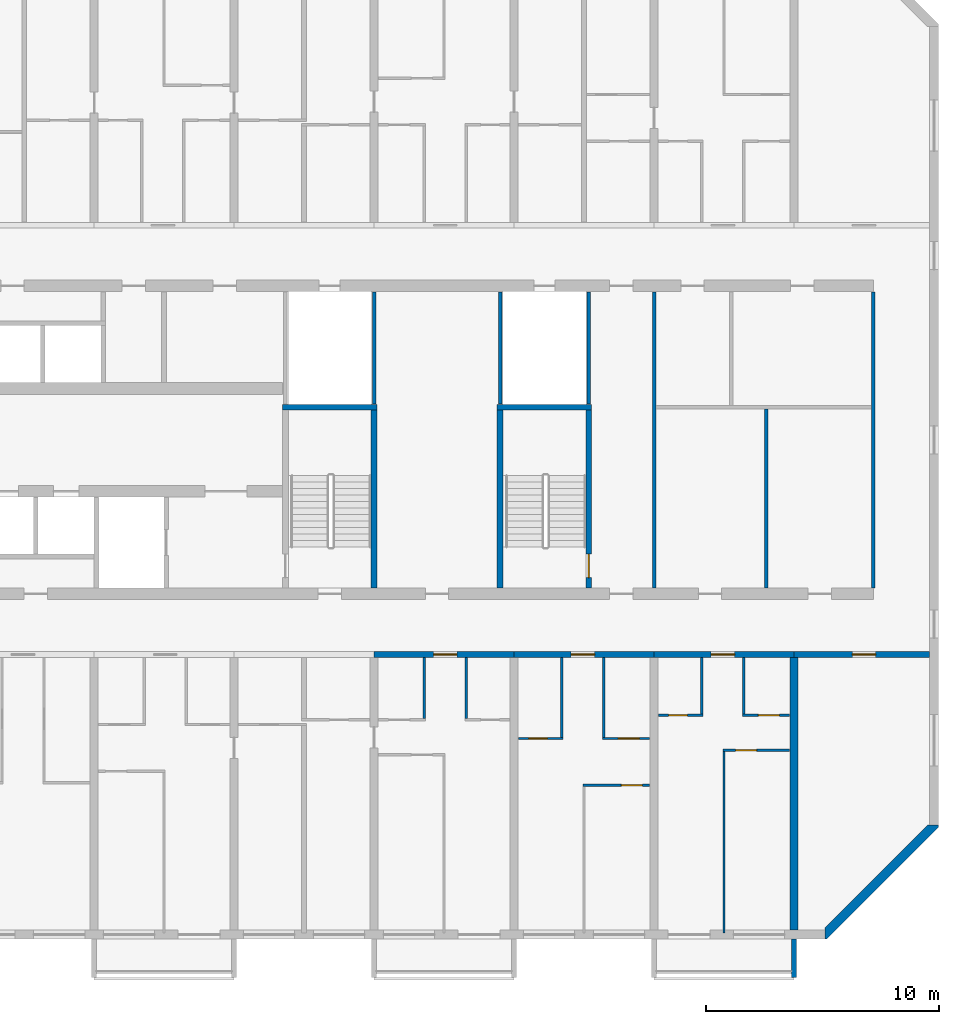
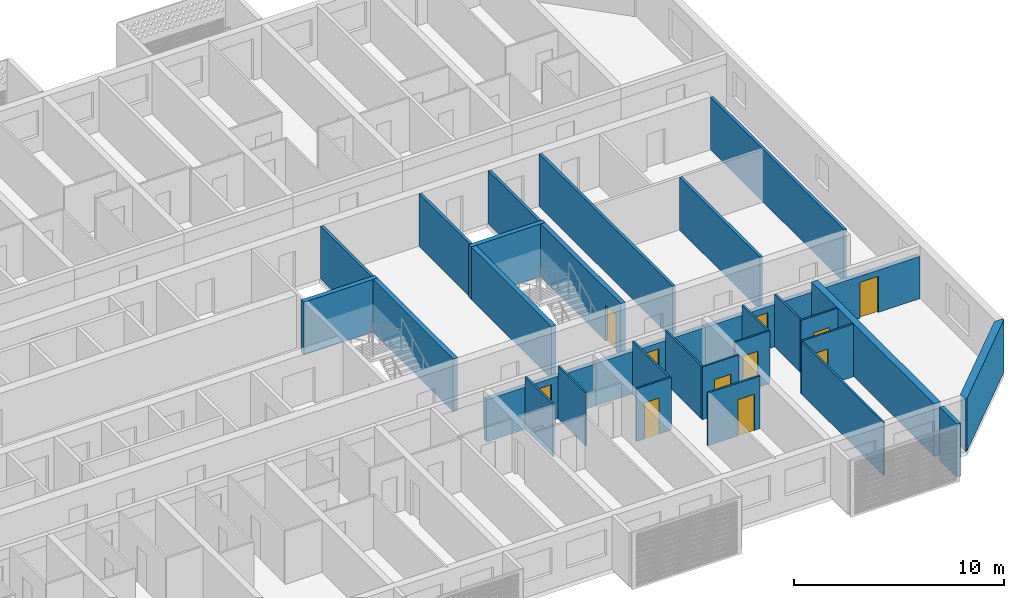
# One storey, part 14 of 25: 31 walls, 11 doors, 11 openings.
"""IFC4 building model written with IfcOpenShell, lengths in metres."""

from ifc_helpers import new_model, si_unit, direction, frame, frame_2d, origin, place, context, subcontext, project, spatial, polyline, rectangle, outline, extrude, source, transform, mapped, material, layer, layer_set, type_object, element, fill, save


model = new_model("IFC4")

# Units and contexts
model_context = context("Model", 3, precision=1e-05, world=origin(), true_north=direction((0.0, 1.0)))
body_context = subcontext(model_context, "Body", "Model", "MODEL_VIEW")
ifc_project = project(units=[si_unit("LENGTHUNIT", "METRE"), si_unit("AREAUNIT", "SQUARE_METRE"), si_unit("VOLUMEUNIT", "CUBIC_METRE"), si_unit("PLANEANGLEUNIT", "RADIAN"), si_unit("MASSUNIT", "GRAM", prefix="KILO")], contexts=[model_context])

# Site, building, storey
site_placement = place(None, origin())
site = spatial("IfcSite", under=ifc_project, at=site_placement, CompositionType="ELEMENT")
building_placement = place(site_placement, origin())
building = spatial("IfcBuilding", under=site, at=building_placement, Name="Poui Terraces", CompositionType="ELEMENT")
storey_placement = place(building_placement, frame((0.0, 0.0, 89.39990234375)))
storey = spatial("IfcBuildingStorey", under=building, at=storey_placement, Name="L24", CompositionType="ELEMENT", Elevation=89.39990234375)

# Walls
ifc_material_1 = material(Name="Fire-rated plasterboard wall")
ifc_layer_1 = layer(ifc_material_1, 0.14990234375)
ifc_layer_set_1 = layer_set([ifc_layer_1], Name="Fire-rated plasterboard wall")
wall_type_1 = type_object("IfcWallType", Name="CORRIDOR WALL 150", PredefinedType="PARTITIONING", material=ifc_layer_set_1)
for number, where, z_axis, x_axis, name in (
    (1, (84.0, 14.860107421875, 0.0), (0.0, 0.0, 1.0), (0.0, 1.0, 0.0), "CORRIDOR WALL 150"),
    (2, (93.39990234375, 14.860107421875, 0.0), (0.0, 0.0, 1.0), (0.0, 1.0, 0.0), "CORRIDOR WALL 150"),
):
    element("IfcWall", number, at=place(storey_placement, frame(where, z_axis=z_axis, x_axis=x_axis)), inside=storey, type_object=wall_type_1, Name=name, PredefinedType="PARTITIONING", context=body_context, shape_type="SweptSolid", body=[
        extrude(rectangle(XDim=12.679931640625, YDim=0.14990234375, at=frame_2d((6.33984375, 0.0))), origin(), (0.0, 0.0, 1.0), 3.06005859375),
    ])

# Wall, opening, door
ifc_material_2 = material(Name="Concrete 65 MPa", Category="concrete")
ifc_layer_2 = layer(ifc_material_2, 0.25)
ifc_layer_set_2 = layer_set([ifc_layer_2], Name="Concrete 65 MPa")
wall_type_2 = type_object("IfcWallType", Name="CORRIDOR WALL 250 65MPa", PredefinedType="SHEAR", material=ifc_layer_set_2)
wall_1_placement = place(storey_placement, frame((72.0, 12.0, 0.0), z_axis=(0.0, 0.0, 1.0), x_axis=(1.0, 0.0, 0.0)))
wall_1 = element("IfcWall", 3, at=wall_1_placement, inside=storey, type_object=wall_type_2, Name="CORRIDOR WALL LINE B BAY 12", PredefinedType="SHEAR", context=body_context, shape_type="SweptSolid", body=[
    extrude(rectangle(XDim=6.0, YDim=0.25, at=frame_2d((3.0, 0.0))), origin(), (0.0, 0.0, 1.0), 2.460205078125),
])
opening_1_placement = place(wall_1_placement, frame((2.550048828125, 0.0, 0.0)))
opening_1 = element("IfcOpeningElement", 4, at=opening_1_placement, cuts=wall_1, Name="Opening FD30S", PredefinedType="OPENING", context=body_context, shape_type="SweptSolid", body=[
    extrude(rectangle(XDim=1.0, YDim=2.10009765625, at=frame_2d((0.5, 1.050048828125))), frame((0.0, 0.135009765625, 0.0), z_axis=(0.0, -1.0, 0.0), x_axis=(1.0, 0.0, 0.0)), (0.0, 0.0, 1.0), 0.27001953125),
])
ifc_material_3 = material(Name="Steel fire door", Category="steel")
door_type_1 = type_object("IfcDoorType", Name="FLAT ENTRANCE DOOR 1000 X 2100", OperationType="NOTDEFINED", PredefinedType="DOOR", material=ifc_material_3)
door_1_placement = place(opening_1_placement, frame((1.0, 0.0, 0.0), z_axis=(0.0, 0.0, 1.0), x_axis=(-1.0, 0.0, 0.0)))
door_1 = element("IfcDoor", 5, at=door_1_placement, inside=storey, type_object=door_type_1, Name="FLAT ENTRANCE DOOR 125", OperationType="SINGLE_SWING_LEFT", OverallHeight=2.10009765625, OverallWidth=1.0, PredefinedType="DOOR", context=body_context, shape_type="SweptSolid", body=[
    extrude(rectangle(XDim=1.0, YDim=2.10009765625, at=frame_2d((0.5, 1.050048828125))), frame((0.0, 0.02490234375, 0.0), z_axis=(0.0, -1.0, 0.0), x_axis=(1.0, 0.0, 0.0)), (0.0, 0.0, 1.0), 0.050048828125),
])
fill(opening_1, door_1)

wall_2_placement = place(storey_placement, frame((78.0, 12.0, 0.0), z_axis=(0.0, 0.0, 1.0), x_axis=(1.0, 0.0, 0.0)))
wall_2 = element("IfcWall", 6, at=wall_2_placement, inside=storey, type_object=wall_type_2, Name="CORRIDOR WALL LINE B BAY 13", PredefinedType="SHEAR", context=body_context, shape_type="SweptSolid", body=[
    extrude(rectangle(XDim=6.0, YDim=0.25, at=frame_2d((3.0, 0.0))), origin(), (0.0, 0.0, 1.0), 2.460205078125),
])
opening_2_placement = place(wall_2_placement, frame((2.449951171875, 0.0, 0.0)))
opening_2 = element("IfcOpeningElement", 7, at=opening_2_placement, cuts=wall_2, Name="Opening FD30S", PredefinedType="OPENING", context=body_context, shape_type="SweptSolid", body=[
    extrude(rectangle(XDim=1.0, YDim=2.10009765625, at=frame_2d((0.5, 1.050048828125))), frame((0.0, 0.135009765625, 0.0), z_axis=(0.0, -1.0, 0.0), x_axis=(1.0, 0.0, 0.0)), (0.0, 0.0, 1.0), 0.27001953125),
])
door_2_placement = place(opening_2_placement, frame((1.0, 0.0, 0.0), z_axis=(0.0, 0.0, 1.0), x_axis=(-1.0, 0.0, 0.0)))
door_2 = element("IfcDoor", 8, at=door_2_placement, inside=storey, type_object=door_type_1, Name="FLAT ENTRANCE DOOR 128", OperationType="SINGLE_SWING_RIGHT", OverallHeight=2.10009765625, OverallWidth=1.0, PredefinedType="DOOR", context=body_context, shape_type="SweptSolid", body=[
    extrude(rectangle(XDim=1.0, YDim=2.10009765625, at=frame_2d((0.5, 1.050048828125))), frame((0.0, 0.02490234375, 0.0), z_axis=(0.0, -1.0, 0.0), x_axis=(1.0, 0.0, 0.0)), (0.0, 0.0, 1.0), 0.050048828125),
])
fill(opening_2, door_2)

wall_3_placement = place(storey_placement, frame((84.0, 12.0, 0.0), z_axis=(0.0, 0.0, 1.0), x_axis=(1.0, 0.0, 0.0)))
wall_3 = element("IfcWall", 9, at=wall_3_placement, inside=storey, type_object=wall_type_2, Name="CORRIDOR WALL LINE B BAY 14", PredefinedType="SHEAR", context=body_context, shape_type="SweptSolid", body=[
    extrude(rectangle(XDim=6.0, YDim=0.25, at=frame_2d((3.0, 0.0))), origin(), (0.0, 0.0, 1.0), 2.460205078125),
])
opening_3_placement = place(wall_3_placement, frame((2.449951171875, 0.0, 0.0)))
opening_3 = element("IfcOpeningElement", 10, at=opening_3_placement, cuts=wall_3, Name="Opening FD30S", PredefinedType="OPENING", context=body_context, shape_type="SweptSolid", body=[
    extrude(rectangle(XDim=1.0, YDim=2.10009765625, at=frame_2d((0.5, 1.050048828125))), frame((0.0, 0.135009765625, 0.0), z_axis=(0.0, -1.0, 0.0), x_axis=(1.0, 0.0, 0.0)), (0.0, 0.0, 1.0), 0.27001953125),
])
door_3_placement = place(opening_3_placement, frame((1.0, 0.0, 0.0), z_axis=(0.0, 0.0, 1.0), x_axis=(-1.0, 0.0, 0.0)))
door_3 = element("IfcDoor", 11, at=door_3_placement, inside=storey, type_object=door_type_1, Name="FLAT ENTRANCE DOOR 132", OperationType="SINGLE_SWING_RIGHT", OverallHeight=2.10009765625, OverallWidth=1.0, PredefinedType="DOOR", context=body_context, shape_type="SweptSolid", body=[
    extrude(rectangle(XDim=1.0, YDim=2.10009765625, at=frame_2d((0.5, 1.050048828125))), frame((0.0, 0.02490234375, 0.0), z_axis=(0.0, -1.0, 0.0), x_axis=(1.0, 0.0, 0.0)), (0.0, 0.0, 1.0), 0.050048828125),
])
fill(opening_3, door_3)

wall_4_placement = place(storey_placement, frame((90.0, 12.0, 0.0), z_axis=(0.0, 0.0, 1.0), x_axis=(1.0, 0.0, 0.0)))
wall_4 = element("IfcWall", 12, at=wall_4_placement, inside=storey, type_object=wall_type_2, Name="CORRIDOR WALL LINE B BAY 15", PredefinedType="SHEAR", context=body_context, shape_type="SweptSolid", body=[
    extrude(rectangle(XDim=5.800048828125, YDim=0.25, at=frame_2d((2.89990234375, 0.0))), origin(), (0.0, 0.0, 1.0), 2.460205078125),
])
opening_4_placement = place(wall_4_placement, frame((2.5, 0.0, 0.0)))
opening_4 = element("IfcOpeningElement", 13, at=opening_4_placement, cuts=wall_4, Name="Opening D100", PredefinedType="OPENING", context=body_context, shape_type="SweptSolid", body=[
    extrude(rectangle(XDim=1.0, YDim=2.10009765625, at=frame_2d((0.5, 1.050048828125))), frame((0.0, 0.135009765625, 0.0), z_axis=(0.0, -1.0, 0.0), x_axis=(1.0, 0.0, 0.0)), (0.0, 0.0, 1.0), 0.27001953125),
])
ifc_material_4 = material(Name="Solid core timber door", Category="wood")
door_type_2 = type_object("IfcDoorType", Name="ACCESSIBLE INTERNAL DOOR 1000 X 2100", OperationType="NOTDEFINED", PredefinedType="DOOR", material=ifc_material_4)
door_4_placement = place(opening_4_placement, frame((1.0, 0.0, 0.0), z_axis=(0.0, 0.0, 1.0), x_axis=(-1.0, 0.0, 0.0)))
door_4 = element("IfcDoor", 14, at=door_4_placement, inside=storey, type_object=door_type_2, Name="ACCESSIBLE INTERNAL DOOR 135", OperationType="SINGLE_SWING_RIGHT", OverallHeight=2.10009765625, OverallWidth=1.0, PredefinedType="DOOR", context=body_context, shape_type="SweptSolid", body=[
    extrude(rectangle(XDim=1.0, YDim=2.10009765625, at=frame_2d((0.5, 1.050048828125))), frame((0.0, 0.02490234375, 0.0), z_axis=(0.0, -1.0, 0.0), x_axis=(1.0, 0.0, 0.0)), (0.0, 0.0, 1.0), 0.050048828125),
])
fill(opening_4, door_4)

# Wall
ifc_layer_3 = layer(ifc_material_2, 0.35009765625)
ifc_layer_set_3 = layer_set([ifc_layer_3], Name="Concrete 65 MPa")
wall_type_3 = type_object("IfcWallType", Name="CROSS WALL 350 65MPa", PredefinedType="SHEAR", material=ifc_layer_set_3)
wall_5_placement = place(storey_placement, frame((90.0, 0.199951171875, 0.0), z_axis=(0.0, 0.0, 1.0), x_axis=(0.0, 1.0, 0.0)))
element("IfcWall", 15, at=wall_5_placement, inside=storey, type_object=wall_type_3, Name="CROSS WALL LINE 16 SOUTH", PredefinedType="SHEAR", context=body_context, shape_type="SweptSolid", body=[
    extrude(rectangle(XDim=11.675048828125, YDim=0.35009765625, at=frame_2d((5.83740234375, 0.0))), origin(), (0.0, 0.0, 1.0), 3.06005859375),
])

# Wall, opening, door
ifc_material_5 = material(Name="Plasterboard partition")
ifc_layer_4 = layer(ifc_material_5, 0.10009765625)
ifc_layer_set_4 = layer_set([ifc_layer_4], Name="Plasterboard partition")
wall_type_4 = type_object("IfcWallType", Name="FLAT PARTITION 100", PredefinedType="PARTITIONING", material=ifc_layer_set_4)
wall_6_placement = place(storey_placement, frame((80.949951171875, 6.39990234375, 0.0), z_axis=(0.0, 0.0, 1.0), x_axis=(1.0, 0.0, 0.0)))
wall_6 = element("IfcWall", 16, at=wall_6_placement, inside=storey, type_object=wall_type_4, Name="FLAT PARTITION 100", PredefinedType="PARTITIONING", context=body_context, shape_type="SweptSolid", body=[
    extrude(rectangle(XDim=2.864990234375, YDim=0.10009765625, at=frame_2d((1.4326171875, 0.0))), origin(), (0.0, 0.0, 1.0), 3.06005859375),
])
opening_5_placement = place(wall_6_placement, frame((1.64990234375, 0.0, 0.0)))
opening_5 = element("IfcOpeningElement", 17, at=opening_5_placement, cuts=wall_6, Name="Opening D90", PredefinedType="OPENING", context=body_context, shape_type="SweptSolid", body=[
    extrude(rectangle(XDim=0.89990234375, YDim=2.10009765625, at=frame_2d((0.449951171875, 1.050048828125))), frame((0.0, 0.06005859375, 0.0), z_axis=(0.0, -1.0, 0.0), x_axis=(1.0, 0.0, 0.0)), (0.0, 0.0, 1.0), 0.1201171875),
])
door_type_3 = type_object("IfcDoorType", Name="INTERNAL DOOR 900 X 2100", OperationType="NOTDEFINED", PredefinedType="DOOR", material=ifc_material_4)
door_5_placement = place(opening_5_placement, origin())
door_5 = element("IfcDoor", 18, at=door_5_placement, inside=storey, type_object=door_type_3, Name="INTERNAL DOOR 130", OperationType="SINGLE_SWING_LEFT", OverallHeight=2.10009765625, OverallWidth=0.89990234375, PredefinedType="DOOR", context=body_context, shape_type="SweptSolid", body=[
    extrude(rectangle(XDim=0.89990234375, YDim=2.10009765625, at=frame_2d((0.449951171875, 1.050048828125))), frame((0.0, 0.02490234375, 0.0), z_axis=(0.0, -1.0, 0.0), x_axis=(1.0, 0.0, 0.0)), (0.0, 0.0, 1.0), 0.050048828125),
])
fill(opening_5, door_5)

wall_7_placement = place(storey_placement, frame((86.949951171875, 7.89990234375, 0.0), z_axis=(0.0, 0.0, 1.0), x_axis=(1.0, 0.0, 0.0)))
wall_7 = element("IfcWall", 19, at=wall_7_placement, inside=storey, type_object=wall_type_4, Name="FLAT PARTITION 100", PredefinedType="PARTITIONING", context=body_context, shape_type="SweptSolid", body=[
    extrude(rectangle(XDim=2.864990234375, YDim=0.10009765625, at=frame_2d((1.4326171875, 0.0))), origin(), (0.0, 0.0, 1.0), 3.06005859375),
])
opening_6_placement = place(wall_7_placement, frame((0.550048828125, 0.0, 0.0)))
opening_6 = element("IfcOpeningElement", 20, at=opening_6_placement, cuts=wall_7, Name="Opening D90", PredefinedType="OPENING", context=body_context, shape_type="SweptSolid", body=[
    extrude(rectangle(XDim=0.89990234375, YDim=2.10009765625, at=frame_2d((0.449951171875, 1.050048828125))), frame((0.0, 0.06005859375, 0.0), z_axis=(0.0, -1.0, 0.0), x_axis=(1.0, 0.0, 0.0)), (0.0, 0.0, 1.0), 0.1201171875),
])
door_6_placement = place(opening_6_placement, origin())
door_6 = element("IfcDoor", 21, at=door_6_placement, inside=storey, type_object=door_type_3, Name="INTERNAL DOOR 133", OperationType="SINGLE_SWING_RIGHT", OverallHeight=2.10009765625, OverallWidth=0.89990234375, PredefinedType="DOOR", context=body_context, shape_type="SweptSolid", body=[
    extrude(rectangle(XDim=0.89990234375, YDim=2.10009765625, at=frame_2d((0.449951171875, 1.050048828125))), frame((0.0, 0.02490234375, 0.0), z_axis=(0.0, -1.0, 0.0), x_axis=(1.0, 0.0, 0.0)), (0.0, 0.0, 1.0), 0.050048828125),
])
fill(opening_6, door_6)

wall_8_placement = place(storey_placement, frame((78.18505859375, 8.39990234375, 0.0), z_axis=(0.0, 0.0, 1.0), x_axis=(1.0, 0.0, 0.0)))
wall_8 = element("IfcWall", 22, at=wall_8_placement, inside=storey, type_object=wall_type_4, Name="FLAT PARTITION 100", PredefinedType="PARTITIONING", context=body_context, shape_type="SweptSolid", body=[
    extrude(rectangle(XDim=1.9150390625, YDim=0.10009765625, at=frame_2d((0.95751953125, 0.0))), origin(), (0.0, 0.0, 1.0), 3.06005859375),
])
opening_7_placement = place(wall_8_placement, frame((0.43994140625, 0.0, 0.0)))
opening_7 = element("IfcOpeningElement", 23, at=opening_7_placement, cuts=wall_8, Name="Opening D80", PredefinedType="OPENING", context=body_context, shape_type="SweptSolid", body=[
    extrude(rectangle(XDim=0.800048828125, YDim=2.10009765625, at=frame_2d((0.39990234375, 1.050048828125))), frame((0.0, 0.06005859375, 0.0), z_axis=(0.0, -1.0, 0.0), x_axis=(1.0, 0.0, 0.0)), (0.0, 0.0, 1.0), 0.1201171875),
])
door_type_4 = type_object("IfcDoorType", Name="BATHROOM, LAUNDRY AND STORE DOOR 800 X 2100", OperationType="NOTDEFINED", PredefinedType="DOOR", material=ifc_material_4)
door_7_placement = place(opening_7_placement, origin())
door_7 = element("IfcDoor", 24, at=door_7_placement, inside=storey, type_object=door_type_4, Name="BATHROOM, LAUNDRY AND STORE DOOR 127", OperationType="SINGLE_SWING_LEFT", OverallHeight=2.10009765625, OverallWidth=0.800048828125, PredefinedType="DOOR", context=body_context, shape_type="SweptSolid", body=[
    extrude(rectangle(XDim=0.800048828125, YDim=2.10009765625, at=frame_2d((0.39990234375, 1.050048828125))), frame((0.0, 0.02490234375, 0.0), z_axis=(0.0, -1.0, 0.0), x_axis=(1.0, 0.0, 0.0)), (0.0, 0.0, 1.0), 0.050048828125),
])
fill(opening_7, door_7)

wall_9_placement = place(storey_placement, frame((81.800048828125, 8.39990234375, 0.0), z_axis=(0.0, 0.0, 1.0), x_axis=(1.0, 0.0, 0.0)))
wall_9 = element("IfcWall", 25, at=wall_9_placement, inside=storey, type_object=wall_type_4, Name="FLAT PARTITION 100", PredefinedType="PARTITIONING", context=body_context, shape_type="SweptSolid", body=[
    extrude(rectangle(XDim=2.014892578125, YDim=0.10009765625, at=frame_2d((1.00732421875, 0.0))), origin(), (0.0, 0.0, 1.0), 3.06005859375),
])
opening_8_placement = place(wall_9_placement, frame((0.675048828125, 0.0, 0.0)))
opening_8 = element("IfcOpeningElement", 26, at=opening_8_placement, cuts=wall_9, Name="Opening D90", PredefinedType="OPENING", context=body_context, shape_type="SweptSolid", body=[
    extrude(rectangle(XDim=0.89990234375, YDim=2.10009765625, at=frame_2d((0.449951171875, 1.050048828125))), frame((0.0, 0.06005859375, 0.0), z_axis=(0.0, -1.0, 0.0), x_axis=(1.0, 0.0, 0.0)), (0.0, 0.0, 1.0), 0.1201171875),
])
door_8_placement = place(opening_8_placement, origin())
door_8 = element("IfcDoor", 27, at=door_8_placement, inside=storey, type_object=door_type_3, Name="INTERNAL DOOR 129", OperationType="SINGLE_SWING_RIGHT", OverallHeight=2.10009765625, OverallWidth=0.89990234375, PredefinedType="DOOR", context=body_context, shape_type="SweptSolid", body=[
    extrude(rectangle(XDim=0.89990234375, YDim=2.10009765625, at=frame_2d((0.449951171875, 1.050048828125))), frame((0.0, 0.02490234375, 0.0), z_axis=(0.0, -1.0, 0.0), x_axis=(1.0, 0.0, 0.0)), (0.0, 0.0, 1.0), 0.050048828125),
])
fill(opening_8, door_8)

wall_10_placement = place(storey_placement, frame((84.18505859375, 9.39990234375, 0.0), z_axis=(0.0, 0.0, 1.0), x_axis=(1.0, 0.0, 0.0)))
wall_10 = element("IfcWall", 28, at=wall_10_placement, inside=storey, type_object=wall_type_4, Name="FLAT PARTITION 100", PredefinedType="PARTITIONING", context=body_context, shape_type="SweptSolid", body=[
    extrude(rectangle(XDim=1.9150390625, YDim=0.10009765625, at=frame_2d((0.95751953125, 0.0))), origin(), (0.0, 0.0, 1.0), 3.06005859375),
])
opening_9_placement = place(wall_10_placement, frame((0.43994140625, 0.0, 0.0)))
opening_9 = element("IfcOpeningElement", 29, at=opening_9_placement, cuts=wall_10, Name="Opening D80", PredefinedType="OPENING", context=body_context, shape_type="SweptSolid", body=[
    extrude(rectangle(XDim=0.800048828125, YDim=2.10009765625, at=frame_2d((0.39990234375, 1.050048828125))), frame((0.0, 0.06005859375, 0.0), z_axis=(0.0, -1.0, 0.0), x_axis=(1.0, 0.0, 0.0)), (0.0, 0.0, 1.0), 0.1201171875),
])
door_9_placement = place(opening_9_placement, origin())
door_9 = element("IfcDoor", 30, at=door_9_placement, inside=storey, type_object=door_type_4, Name="BATHROOM, LAUNDRY AND STORE DOOR 131", OperationType="SINGLE_SWING_RIGHT", OverallHeight=2.10009765625, OverallWidth=0.800048828125, PredefinedType="DOOR", context=body_context, shape_type="SweptSolid", body=[
    extrude(rectangle(XDim=0.800048828125, YDim=2.10009765625, at=frame_2d((0.39990234375, 1.050048828125))), frame((0.0, 0.02490234375, 0.0), z_axis=(0.0, -1.0, 0.0), x_axis=(1.0, 0.0, 0.0)), (0.0, 0.0, 1.0), 0.050048828125),
])
fill(opening_9, door_9)

wall_11_placement = place(storey_placement, frame((87.800048828125, 9.39990234375, 0.0), z_axis=(0.0, 0.0, 1.0), x_axis=(1.0, 0.0, 0.0)))
wall_11 = element("IfcWall", 31, at=wall_11_placement, inside=storey, type_object=wall_type_4, Name="FLAT PARTITION 100", PredefinedType="PARTITIONING", context=body_context, shape_type="SweptSolid", body=[
    extrude(rectangle(XDim=2.014892578125, YDim=0.10009765625, at=frame_2d((1.00732421875, 0.0))), origin(), (0.0, 0.0, 1.0), 3.06005859375),
])
opening_10_placement = place(wall_11_placement, frame((0.675048828125, 0.0, 0.0)))
opening_10 = element("IfcOpeningElement", 32, at=opening_10_placement, cuts=wall_11, Name="Opening D90", PredefinedType="OPENING", context=body_context, shape_type="SweptSolid", body=[
    extrude(rectangle(XDim=0.89990234375, YDim=2.10009765625, at=frame_2d((0.449951171875, 1.050048828125))), frame((0.0, 0.06005859375, 0.0), z_axis=(0.0, -1.0, 0.0), x_axis=(1.0, 0.0, 0.0)), (0.0, 0.0, 1.0), 0.1201171875),
])
door_10_placement = place(opening_10_placement, origin())
door_10 = element("IfcDoor", 33, at=door_10_placement, inside=storey, type_object=door_type_3, Name="INTERNAL DOOR 134", OperationType="SINGLE_SWING_LEFT", OverallHeight=2.10009765625, OverallWidth=0.89990234375, PredefinedType="DOOR", context=body_context, shape_type="SweptSolid", body=[
    extrude(rectangle(XDim=0.89990234375, YDim=2.10009765625, at=frame_2d((0.449951171875, 1.050048828125))), frame((0.0, 0.02490234375, 0.0), z_axis=(0.0, -1.0, 0.0), x_axis=(1.0, 0.0, 0.0)), (0.0, 0.0, 1.0), 0.050048828125),
])
fill(opening_10, door_10)

# Walls
for number, where, z_axis, x_axis, name in (
    (34, (74.14990234375, 9.25, 0.0), (0.0, 0.0, 1.0), (0.0, 1.0, 0.0), "FLAT PARTITION 100"),
    (35, (75.949951171875, 9.25, 0.0), (0.0, 0.0, 1.0), (0.0, 1.0, 0.0), "FLAT PARTITION 100"),
):
    element("IfcWall", number, at=place(storey_placement, frame(where, z_axis=z_axis, x_axis=x_axis)), inside=storey, type_object=wall_type_4, Name=name, PredefinedType="PARTITIONING", context=body_context, shape_type="SweptSolid", body=[
        extrude(rectangle(XDim=2.614990234375, YDim=0.10009765625, at=frame_2d((1.3076171875, 0.0))), origin(), (0.0, 0.0, 1.0), 3.06005859375),
    ])
for number, where, z_axis, x_axis, name in (
    (36, (80.050048828125, 8.449951171875, 0.0), (0.0, 0.0, 1.0), (0.0, 1.0, 0.0), "FLAT PARTITION 100"),
    (37, (81.85009765625, 8.449951171875, 0.0), (0.0, 0.0, 1.0), (0.0, 1.0, 0.0), "FLAT PARTITION 100"),
):
    element("IfcWall", number, at=place(storey_placement, frame(where, z_axis=z_axis, x_axis=x_axis)), inside=storey, type_object=wall_type_4, Name=name, PredefinedType="PARTITIONING", context=body_context, shape_type="SweptSolid", body=[
        extrude(rectangle(XDim=3.4150390625, YDim=0.10009765625, at=frame_2d((1.70751953125, 0.0))), origin(), (0.0, 0.0, 1.0), 3.06005859375),
    ])
wall_12_placement = place(storey_placement, frame((86.050048828125, 9.449951171875, 0.0), z_axis=(0.0, 0.0, 1.0), x_axis=(0.0, 1.0, 0.0)))
element("IfcWall", 38, at=wall_12_placement, inside=storey, type_object=wall_type_4, Name="FLAT PARTITION 100", PredefinedType="PARTITIONING", context=body_context, shape_type="SweptSolid", body=[
    extrude(rectangle(XDim=2.4150390625, YDim=0.10009765625, at=frame_2d((1.20751953125, 0.0))), origin(), (0.0, 0.0, 1.0), 3.06005859375),
])
wall_13_placement = place(storey_placement, frame((87.0, 0.06005859375, 0.0), z_axis=(0.0, 0.0, 1.0), x_axis=(0.0, 1.0, 0.0)))
element("IfcWall", 39, at=wall_13_placement, inside=storey, type_object=wall_type_4, Name="FLAT PARTITION 100", PredefinedType="PARTITIONING", context=body_context, shape_type="SweptSolid", body=[
    extrude(rectangle(XDim=7.7900390625, YDim=0.10009765625, at=frame_2d((3.89501953125, 0.0))), origin(), (0.0, 0.0, 1.0), 3.06005859375),
])
wall_14_placement = place(storey_placement, frame((87.85009765625, 9.449951171875, 0.0), z_axis=(0.0, 0.0, 1.0), x_axis=(0.0, 1.0, 0.0)))
element("IfcWall", 40, at=wall_14_placement, inside=storey, type_object=wall_type_4, Name="FLAT PARTITION 100", PredefinedType="PARTITIONING", context=body_context, shape_type="SweptSolid", body=[
    extrude(rectangle(XDim=2.4150390625, YDim=0.10009765625, at=frame_2d((1.20751953125, 0.0))), origin(), (0.0, 0.0, 1.0), 3.06005859375),
])
ifc_layer_5 = layer(ifc_material_5, 0.14990234375)
ifc_layer_set_5 = layer_set([ifc_layer_5], Name="Plasterboard partition")
wall_type_5 = type_object("IfcWallType", Name="PARTITION WALL 150", PredefinedType="PARTITIONING", material=ifc_layer_set_5)
wall_15_placement = place(storey_placement, frame((88.800048828125, 14.860107421875, 0.0), z_axis=(0.0, 0.0, 1.0), x_axis=(0.0, 1.0, 0.0)))
element("IfcWall", 41, at=wall_15_placement, inside=storey, type_object=wall_type_5, Name="PARTITION WALL 150", PredefinedType="PARTITIONING", context=body_context, shape_type="SweptSolid", body=[
    extrude(rectangle(XDim=7.664794921875, YDim=0.14990234375, at=frame_2d((3.83251953125, 0.0))), origin(), (0.0, 0.0, 1.0), 3.06005859375),
])
ifc_material_6 = material(Name="Fire-rated plasterboard riser wall")
ifc_layer_6 = layer(ifc_material_6, 0.14990234375)
ifc_layer_set_6 = layer_set([ifc_layer_6], Name="Fire-rated plasterboard riser wall")
wall_type_6 = type_object("IfcWallType", Name="RISER WALL 150", PredefinedType="PARTITIONING", material=ifc_layer_set_6)
for number, where, z_axis, x_axis, name in (
    (42, (72.0, 22.735107421875, 0.0), (0.0, 0.0, 1.0), (0.0, 1.0, 0.0), "RISER WALL 150"),
    (43, (77.39990234375, 22.735107421875, 0.0), (0.0, 0.0, 1.0), (0.0, 1.0, 0.0), "RISER WALL 150"),
    (44, (81.199951171875, 22.735107421875, 0.0), (0.0, 0.0, 1.0), (0.0, 1.0, 0.0), "RISER WALL 150"),
):
    element("IfcWall", number, at=place(storey_placement, frame(where, z_axis=z_axis, x_axis=x_axis)), inside=storey, type_object=wall_type_6, Name=name, PredefinedType="PARTITIONING", context=body_context, shape_type="SweptSolid", body=[
        extrude(rectangle(XDim=4.804931640625, YDim=0.14990234375, at=frame_2d((2.40234375, 0.0))), origin(), (0.0, 0.0, 1.0), 3.06005859375),
    ])
ifc_layer_7 = layer(ifc_material_2, 0.25)
ifc_layer_set_7 = layer_set([ifc_layer_7], Name="Concrete 65 MPa")
wall_type_7 = type_object("IfcWallType", Name="STAIR CORE WALL 250 65 MPA", PredefinedType="SOLIDWALL", material=ifc_layer_set_7)
wall_16_placement = place(storey_placement, frame((72.0, 14.85009765625, 0.0), z_axis=(0.0, 0.0, 1.0), x_axis=(0.0, 1.0, 0.0)))
element("IfcWall", 45, at=wall_16_placement, inside=storey, type_object=wall_type_7, Name="STAIR CORE WALL", PredefinedType="SOLIDWALL", context=body_context, shape_type="SweptSolid", body=[
    extrude(rectangle(XDim=7.625, YDim=0.25, at=frame_2d((3.8125, 0.0))), origin(), (0.0, 0.0, 1.0), 3.06005859375),
])
wall_17_placement = place(storey_placement, frame((68.074951171875, 22.60009765625, 0.0), z_axis=(0.0, 0.0, 1.0), x_axis=(1.0, 0.0, 0.0)))
element("IfcWall", 46, at=wall_17_placement, inside=storey, type_object=wall_type_7, Name="STAIR CORE WALL", PredefinedType="SOLIDWALL", context=body_context, shape_type="SweptSolid", body=[
    extrude(rectangle(XDim=4.050048828125, YDim=0.25, at=frame_2d((2.02490234375, 0.0))), origin(), (0.0, 0.0, 1.0), 3.06005859375),
])
wall_18_placement = place(storey_placement, frame((77.39990234375, 14.85009765625, 0.0), z_axis=(0.0, 0.0, 1.0), x_axis=(0.0, 1.0, 0.0)))
element("IfcWall", 47, at=wall_18_placement, inside=storey, type_object=wall_type_7, Name="STAIR CORE WALL", PredefinedType="SOLIDWALL", context=body_context, shape_type="SweptSolid", body=[
    extrude(rectangle(XDim=7.625, YDim=0.25, at=frame_2d((3.8125, 0.0))), origin(), (0.0, 0.0, 1.0), 3.06005859375),
])

# Wall, opening, door
wall_19_placement = place(storey_placement, frame((81.199951171875, 14.85009765625, 0.0), z_axis=(0.0, 0.0, 1.0), x_axis=(0.0, 1.0, 0.0)))
wall_19 = element("IfcWall", 48, at=wall_19_placement, inside=storey, type_object=wall_type_7, Name="STAIR CORE WALL", PredefinedType="SOLIDWALL", context=body_context, shape_type="SweptSolid", body=[
    extrude(rectangle(XDim=7.625, YDim=0.25, at=frame_2d((3.8125, 0.0))), origin(), (0.0, 0.0, 1.0), 3.06005859375),
])
opening_11_placement = place(wall_19_placement, frame((0.449951171875, 0.0, 0.0)))
opening_11 = element("IfcOpeningElement", 49, at=opening_11_placement, cuts=wall_19, Name="Opening FD60S", PredefinedType="OPENING", context=body_context, shape_type="SweptSolid", body=[
    extrude(rectangle(XDim=1.0, YDim=2.10009765625, at=frame_2d((0.5, 1.050048828125))), frame((0.0, 0.135009765625, 0.0), z_axis=(0.0, -1.0, 0.0), x_axis=(1.0, 0.0, 0.0)), (0.0, 0.0, 1.0), 0.27001953125),
])
door_type_5 = type_object("IfcDoorType", Name="STAIR DOOR 1000 X 2100", OperationType="NOTDEFINED", PredefinedType="DOOR", material=ifc_material_3)
door_11_placement = place(opening_11_placement, origin())
door_11 = element("IfcDoor", 50, at=door_11_placement, inside=storey, type_object=door_type_5, Name="STAIR DOOR 151", OperationType="SINGLE_SWING_LEFT", OverallHeight=2.10009765625, OverallWidth=1.0, PredefinedType="DOOR", context=body_context, shape_type="SweptSolid", body=[
    extrude(rectangle(XDim=1.0, YDim=2.10009765625, at=frame_2d((0.5, 1.050048828125))), frame((0.0, 0.02490234375, 0.0), z_axis=(0.0, -1.0, 0.0), x_axis=(1.0, 0.0, 0.0)), (0.0, 0.0, 1.0), 0.050048828125),
])
fill(opening_11, door_11)

# Walls
wall_20_placement = place(storey_placement, frame((77.27490234375, 22.60009765625, 0.0), z_axis=(0.0, 0.0, 1.0), x_axis=(1.0, 0.0, 0.0)))
element("IfcWall", 51, at=wall_20_placement, inside=storey, type_object=wall_type_7, Name="STAIR CORE WALL", PredefinedType="SOLIDWALL", context=body_context, shape_type="SweptSolid", body=[
    extrude(rectangle(XDim=4.050048828125, YDim=0.25, at=frame_2d((2.02490234375, 0.0))), origin(), (0.0, 0.0, 1.0), 3.06005859375),
])
ifc_material_7 = material(Name="Precast concrete 40 MPa", Category="concrete")
ifc_layer_8 = layer(ifc_material_7, 0.39990234375)
ifc_layer_set_8 = layer_set([ifc_layer_8], Name="Precast concrete 40 MPa")
wall_type_8 = type_object("IfcWallType", Name="TERRACOTTA CLAD CHAMFER WALL 400", PredefinedType="STANDARD", material=ifc_layer_set_8)
wall_21_placement = place(storey_placement, origin())
element("IfcWall", 52, at=wall_21_placement, inside=storey, type_object=wall_type_8, Name="CHAMFER WALL CH01", PredefinedType="STANDARD", context=body_context, shape_type="SweptSolid", body=[
    extrude(outline(polyline([(91.317138671875, -0.199951171875), (91.39990234375, -0.199951171875), (96.199951171875, 4.60009765625), (96.199951171875, 4.682861328125), (95.71728515625, 4.682861328125), (91.317138671875, 0.28271484375), (91.317138671875, -0.199951171875)])), origin(), (0.0, 0.0, 1.0), 3.06005859375),
])
ifc_layer_9 = layer(ifc_material_7, 0.199951171875)
ifc_layer_set_9 = layer_set([ifc_layer_9], Name="Precast concrete 40 MPa")
wall_type_9 = type_object("IfcWallType", Name="REAR FIN 200", PredefinedType="STANDARD", material=ifc_layer_set_9)
shared_shape = source(origin(), body_context, "Body", "SweptSolid", [
    extrude(outline(polyline([(0.0, 0.0), (0.2001953125, 0.0), (0.2001953125, 1.650146484375), (0.0, 1.650146484375), (0.0, 0.0)])), origin(), (0.0, 0.0, 1.0), 3.10009765625),
])
wall_22_placement = place(storey_placement, frame((89.89990234375, -1.85009765625, 0.0)))
element("IfcWall", 53, at=wall_22_placement, inside=storey, type_object=wall_type_9, Name="REAR FIN", PredefinedType="STANDARD", context=body_context, shape_type="MappedRepresentation", body=[
    mapped(shared_shape, transform((0.0, 0.0, 0.0))),
])

save(model, "model.ifc")
